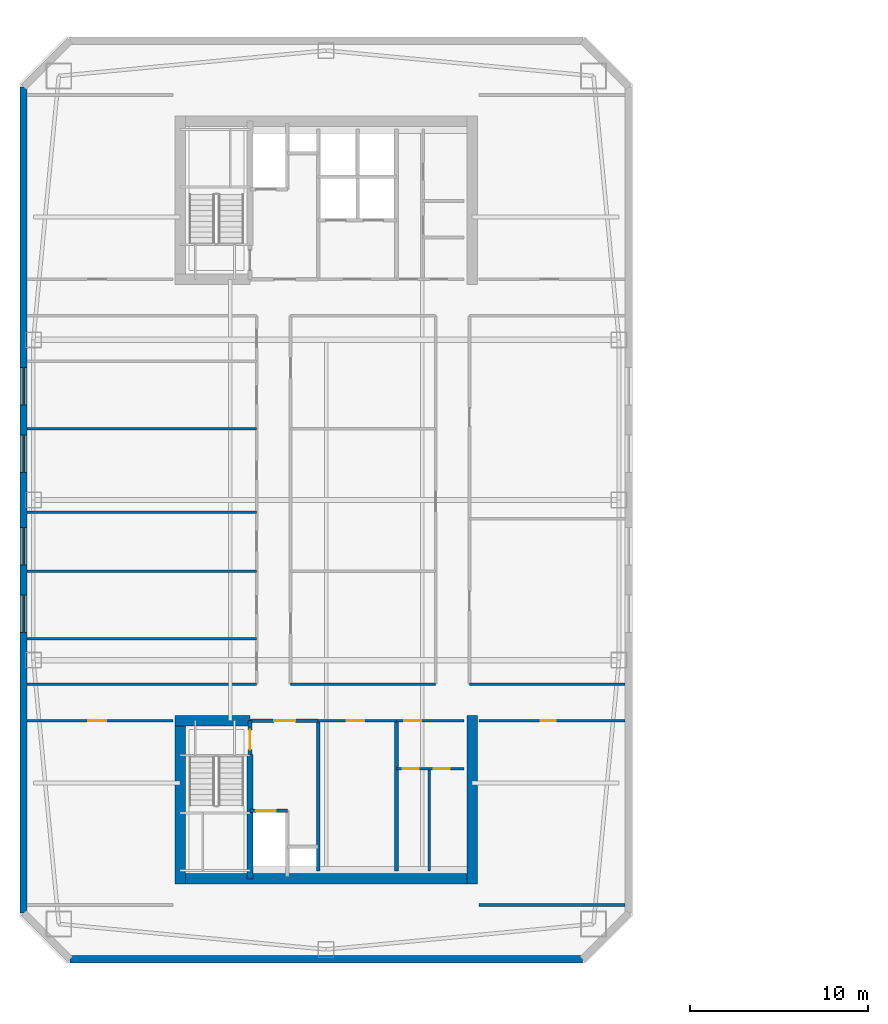
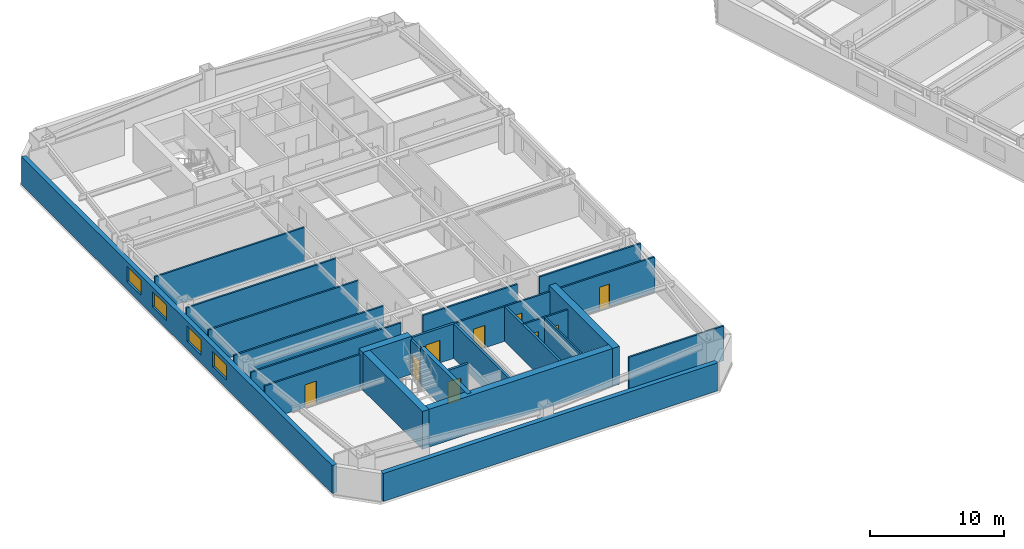
# One storey, part 5 of 13: 26 walls, 9 doors, 4 windows, 13 openings.
"""IFC4 building model written with IfcOpenShell, lengths in metres."""

from ifc_helpers import new_model, si_unit, direction, frame, frame_2d, origin, place, context, subcontext, project, spatial, rectangle, extrude, material, layer, layer_set, type_object, element, fill, save


model = new_model("IFC4")

# Units and contexts
model_context = context("Model", 3, precision=1e-05, world=origin(), true_north=direction((0.0, 1.0)))
body_context = subcontext(model_context, "Body", "Model", "MODEL_VIEW")
ifc_project = project(units=[si_unit("LENGTHUNIT", "METRE"), si_unit("AREAUNIT", "SQUARE_METRE"), si_unit("VOLUMEUNIT", "CUBIC_METRE"), si_unit("PLANEANGLEUNIT", "RADIAN"), si_unit("MASSUNIT", "GRAM", prefix="KILO")], contexts=[model_context])

# Site, building, storey
site_placement = place(None, origin())
site = spatial("IfcSite", under=ifc_project, at=site_placement, CompositionType="ELEMENT")
building_placement = place(site_placement, origin())
building = spatial("IfcBuilding", under=site, at=building_placement, Name="Qiaolan Cultural Towers", CompositionType="ELEMENT")
storey_placement = place(building_placement, frame((0.0, 0.0, 180.550048828125)))
storey = spatial("IfcBuildingStorey", under=building, at=storey_placement, Name="L48", CompositionType="ELEMENT", Elevation=180.550048828125)

# Walls
ifc_material_1 = material(Name="Concrete C50", Category="concrete")
ifc_layer_1 = layer(ifc_material_1, 0.35009765625)
ifc_layer_set_1 = layer_set([ifc_layer_1], Name="Concrete C50")
wall_type_1 = type_object("IfcWallType", Name="WL-CORE-350", PredefinedType="SHEAR", material=ifc_layer_set_1)
wall_1_placement = place(storey_placement, frame((25.719970703125, 19.699951171875, 0.0), z_axis=(0.0, 0.0, 1.0), x_axis=(0.0, -1.0, 0.0)))
element("IfcWall", 1, at=wall_1_placement, inside=storey, type_object=wall_type_1, Name="L48 T1-CS Stair Core Dividing Web", PredefinedType="SHEAR", context=body_context, shape_type="SweptSolid", body=[
    extrude(rectangle(XDim=6.97998046875, YDim=0.35009765625, at=frame_2d((3.489990234375, 0.0))), origin(), (0.0, 0.0, 1.0), 3.449951171875),
])
ifc_material_2 = material(Name="Concrete C55", Category="concrete")
ifc_layer_2 = layer(ifc_material_2, 0.60009765625)
ifc_layer_set_2 = layer_set([ifc_layer_2], Name="Concrete C55")
wall_type_2 = type_object("IfcWallType", Name="WL-CORE-600", PredefinedType="SHEAR", material=ifc_layer_set_2)
wall_2_placement = place(storey_placement, frame((21.5, 12.719970703125, 0.0), z_axis=(0.0, 0.0, 1.0), x_axis=(1.0, 0.0, 0.0)))
element("IfcWall", 2, at=wall_2_placement, inside=storey, type_object=wall_type_2, Name="L48 T1-CS Outer Core Shear Wall", PredefinedType="SHEAR", context=body_context, shape_type="SweptSolid", body=[
    extrude(rectangle(XDim=17.0, YDim=0.60009765625, at=frame_2d((8.5, 0.0))), origin(), (0.0, 0.0, 1.0), 3.449951171875),
])
for number, where, z_axis, x_axis, name in (
    (3, (21.800048828125, 21.89990234375, 0.0), (0.0, 0.0, 1.0), (0.0, -1.0, 0.0), "L48 T1-CS West Core Shear Wall"),
    (4, (38.199951171875, 21.89990234375, 0.0), (0.0, 0.0, 1.0), (0.0, -1.0, 0.0), "L48 T1-CS East Core Shear Wall"),
):
    element("IfcWall", number, at=place(storey_placement, frame(where, z_axis=z_axis, x_axis=x_axis)), inside=storey, type_object=wall_type_2, Name=name, PredefinedType="SHEAR", context=body_context, shape_type="SweptSolid", body=[
        extrude(rectangle(XDim=9.47998046875, YDim=0.60009765625, at=frame_2d((4.739990234375, 0.0))), origin(), (0.0, 0.0, 1.0), 3.449951171875),
    ])
wall_3_placement = place(storey_placement, frame((21.5, 21.60009765625, 0.0), z_axis=(0.0, 0.0, 1.0), x_axis=(1.0, 0.0, 0.0)))
element("IfcWall", 5, at=wall_3_placement, inside=storey, type_object=wall_type_2, Name="L48 T1-CS Stair Front Shear Wall", PredefinedType="SHEAR", context=body_context, shape_type="SweptSolid", body=[
    extrude(rectangle(XDim=4.219970703125, YDim=0.60009765625, at=frame_2d((2.10986328125, 0.0))), origin(), (0.0, 0.0, 1.0), 3.449951171875),
])

# Wall, openings, windows
ifc_material_3 = material(Name="Precast Concrete C50 Honed Stone Pier", Category="masonry")
ifc_layer_3 = layer(ifc_material_3, 0.39990234375)
ifc_layer_set_3 = layer_set([ifc_layer_3], Name="Precast Concrete C50 Honed Stone Pier")
wall_type_3 = type_object("IfcWallType", Name="WL-EXT-PIER-400", PredefinedType="SOLIDWALL", material=ifc_layer_set_3)
wall_4_placement = place(storey_placement, frame((13.0, 10.800048828125, 0.0), z_axis=(0.0, 0.0, 1.0), x_axis=(0.0, 1.0, 0.0)))
wall_4 = element("IfcWall", 6, at=wall_4_placement, inside=storey, type_object=wall_type_3, Name="L48 West Tower Precast Pier Facade Wall F1", PredefinedType="SOLIDWALL", context=body_context, shape_type="SweptSolid", body=[
    extrude(rectangle(XDim=46.39990234375, YDim=0.39990234375, at=frame_2d((23.199951171875, 0.0))), origin(), (0.0, 0.0, 1.0), 2.550048828125),
])
opening_1_placement = place(wall_4_placement, frame((15.75, 0.0, 0.75)))
opening_1 = element("IfcOpeningElement", 7, at=opening_1_placement, cuts=wall_4, Name="Opening W-05", PredefinedType="OPENING", context=body_context, shape_type="SweptSolid", body=[
    extrude(rectangle(XDim=2.10009765625, YDim=1.39990234375, at=frame_2d((1.050048828125, 0.699951171875))), frame((0.0, 0.2099609375, 0.0), z_axis=(0.0, -1.0, 0.0), x_axis=(1.0, 0.0, 0.0)), (0.0, 0.0, 1.0), 0.419921875),
])
opening_2_placement = place(wall_4_placement, frame((19.550048828125, 0.0, 0.75)))
opening_2 = element("IfcOpeningElement", 8, at=opening_2_placement, cuts=wall_4, Name="Opening W-05", PredefinedType="OPENING", context=body_context, shape_type="SweptSolid", body=[
    extrude(rectangle(XDim=2.10009765625, YDim=1.39990234375, at=frame_2d((1.050048828125, 0.699951171875))), frame((0.0, 0.2099609375, 0.0), z_axis=(0.0, -1.0, 0.0), x_axis=(1.0, 0.0, 0.0)), (0.0, 0.0, 1.0), 0.419921875),
])
opening_3_placement = place(wall_4_placement, frame((24.75, 0.0, 0.75)))
opening_3 = element("IfcOpeningElement", 9, at=opening_3_placement, cuts=wall_4, Name="Opening W-05", PredefinedType="OPENING", context=body_context, shape_type="SweptSolid", body=[
    extrude(rectangle(XDim=2.10009765625, YDim=1.39990234375, at=frame_2d((1.050048828125, 0.699951171875))), frame((0.0, 0.2099609375, 0.0), z_axis=(0.0, -1.0, 0.0), x_axis=(1.0, 0.0, 0.0)), (0.0, 0.0, 1.0), 0.419921875),
])
opening_4_placement = place(wall_4_placement, frame((28.550048828125, 0.0, 0.75)))
opening_4 = element("IfcOpeningElement", 10, at=opening_4_placement, cuts=wall_4, Name="Opening W-05", PredefinedType="OPENING", context=body_context, shape_type="SweptSolid", body=[
    extrude(rectangle(XDim=2.10009765625, YDim=1.39990234375, at=frame_2d((1.050048828125, 0.699951171875))), frame((0.0, 0.2099609375, 0.0), z_axis=(0.0, -1.0, 0.0), x_axis=(1.0, 0.0, 0.0)), (0.0, 0.0, 1.0), 0.419921875),
])
ifc_material_4 = material(Name="Thermally Broken Aluminium Triple Low-E Glazing", Category="aluminium")
window_type = type_object("IfcWindowType", Name="WN-CHIC-2100", PartitioningType="SINGLE_PANEL", PredefinedType="WINDOW", material=ifc_material_4)
window_1_placement = place(opening_1_placement, origin())
window_1 = element("IfcWindow", 11, at=window_1_placement, inside=storey, type_object=window_type, Name="L48 T1 W Chicago Bay Window 1", OverallHeight=1.39990234375, OverallWidth=2.10009765625, PartitioningType="TRIPLE_PANEL_VERTICAL", PredefinedType="WINDOW", context=body_context, shape_type="SweptSolid", body=[
    extrude(rectangle(XDim=2.10009765625, YDim=1.39990234375, at=frame_2d((1.050048828125, 0.699951171875))), frame((0.0, 0.030029296875, 0.0), z_axis=(0.0, -1.0, 0.0), x_axis=(1.0, 0.0, 0.0)), (0.0, 0.0, 1.0), 0.06005859375),
])
fill(opening_1, window_1)
window_2_placement = place(opening_2_placement, origin())
window_2 = element("IfcWindow", 12, at=window_2_placement, inside=storey, type_object=window_type, Name="L48 T1 W Chicago Bay Window 2", OverallHeight=1.39990234375, OverallWidth=2.10009765625, PartitioningType="TRIPLE_PANEL_VERTICAL", PredefinedType="WINDOW", context=body_context, shape_type="SweptSolid", body=[
    extrude(rectangle(XDim=2.10009765625, YDim=1.39990234375, at=frame_2d((1.050048828125, 0.699951171875))), frame((0.0, 0.030029296875, 0.0), z_axis=(0.0, -1.0, 0.0), x_axis=(1.0, 0.0, 0.0)), (0.0, 0.0, 1.0), 0.06005859375),
])
fill(opening_2, window_2)
window_3_placement = place(opening_3_placement, origin())
window_3 = element("IfcWindow", 13, at=window_3_placement, inside=storey, type_object=window_type, Name="L48 T1 W Chicago Bay Window 3", OverallHeight=1.39990234375, OverallWidth=2.10009765625, PartitioningType="TRIPLE_PANEL_VERTICAL", PredefinedType="WINDOW", context=body_context, shape_type="SweptSolid", body=[
    extrude(rectangle(XDim=2.10009765625, YDim=1.39990234375, at=frame_2d((1.050048828125, 0.699951171875))), frame((0.0, 0.030029296875, 0.0), z_axis=(0.0, -1.0, 0.0), x_axis=(1.0, 0.0, 0.0)), (0.0, 0.0, 1.0), 0.06005859375),
])
fill(opening_3, window_3)
window_4_placement = place(opening_4_placement, origin())
window_4 = element("IfcWindow", 14, at=window_4_placement, inside=storey, type_object=window_type, Name="L48 T1 W Chicago Bay Window 4", OverallHeight=1.39990234375, OverallWidth=2.10009765625, PartitioningType="TRIPLE_PANEL_VERTICAL", PredefinedType="WINDOW", context=body_context, shape_type="SweptSolid", body=[
    extrude(rectangle(XDim=2.10009765625, YDim=1.39990234375, at=frame_2d((1.050048828125, 0.699951171875))), frame((0.0, 0.030029296875, 0.0), z_axis=(0.0, -1.0, 0.0), x_axis=(1.0, 0.0, 0.0)), (0.0, 0.0, 1.0), 0.06005859375),
])
fill(opening_4, window_4)

# Wall
wall_5_placement = place(storey_placement, frame((44.39990234375, 8.199951171875, 0.0), z_axis=(0.0, 0.0, 1.0), x_axis=(-1.0, 0.0, 0.0)))
element("IfcWall", 15, at=wall_5_placement, inside=storey, type_object=wall_type_3, Name="L48 West Tower Precast Pier Facade Wall F7", PredefinedType="SOLIDWALL", context=body_context, shape_type="SweptSolid", body=[
    extrude(rectangle(XDim=28.7998046875, YDim=0.39990234375, at=frame_2d((14.39990234375, 0.0))), origin(), (0.0, 0.0, 1.0), 2.550048828125),
])

# Wall, opening, door
ifc_material_5 = material(Name="Concrete C35 Fire Wall", Category="concrete")
ifc_layer_4 = layer(ifc_material_5, 0.199951171875)
ifc_layer_set_4 = layer_set([ifc_layer_4], Name="Concrete C35 Fire Wall")
wall_type_4 = type_object("IfcWallType", Name="WL-FIRE-200", PredefinedType="PARTITIONING", material=ifc_layer_set_4)
wall_6_placement = place(storey_placement, frame((25.719970703125, 21.60009765625, 0.0), z_axis=(0.0, 0.0, 1.0), x_axis=(0.0, -1.0, 0.0)))
wall_6 = element("IfcWall", 16, at=wall_6_placement, inside=storey, type_object=wall_type_4, Name="L48 T1-CS Smokeproof Stair Entry Wall", PredefinedType="PARTITIONING", context=body_context, shape_type="SweptSolid", body=[
    extrude(rectangle(XDim=1.900146484375, YDim=0.199951171875, at=frame_2d((0.9501953125, 0.0))), origin(), (0.0, 0.0, 1.0), 3.155029296875),
])
opening_5_placement = place(wall_6_placement, frame((0.52001953125, 0.0, 0.0)))
opening_5 = element("IfcOpeningElement", 17, at=opening_5_placement, cuts=wall_6, Name="Opening FD-04", PredefinedType="OPENING", context=body_context, shape_type="SweptSolid", body=[
    extrude(rectangle(XDim=1.10009765625, YDim=2.050048828125, at=frame_2d((0.550048828125, 1.02490234375))), frame((0.0, 0.10986328125, 0.0), z_axis=(0.0, -1.0, 0.0), x_axis=(1.0, 0.0, 0.0)), (0.0, 0.0, 1.0), 0.219970703125),
])
ifc_material_6 = material(Name="Galvanized Steel Command Fire Door", Category="steel")
door_type_1 = type_object("IfcDoorType", Name="DR-FD90-1100", OperationType="NOTDEFINED", PredefinedType="DOOR", material=ifc_material_6)
door_1_placement = place(opening_5_placement, origin())
door_1 = element("IfcDoor", 18, at=door_1_placement, inside=storey, type_object=door_type_1, Name="L48 ST-W1 Smokeproof Stair Fire Door", OperationType="SINGLE_SWING_LEFT", OverallHeight=2.050048828125, OverallWidth=1.10009765625, PredefinedType="DOOR", context=body_context, shape_type="SweptSolid", body=[
    extrude(rectangle(XDim=1.10009765625, YDim=2.050048828125, at=frame_2d((0.550048828125, 1.02490234375))), frame((0.0, 0.02490234375, 0.0), z_axis=(0.0, -1.0, 0.0), x_axis=(1.0, 0.0, 0.0)), (0.0, 0.0, 1.0), 0.050048828125),
])
fill(opening_5, door_1)

# Wall
wall_7_placement = place(storey_placement, frame((29.550048828125, 21.60009765625, 0.0), z_axis=(0.0, 0.0, 1.0), x_axis=(0.0, -1.0, 0.0)))
element("IfcWall", 19, at=wall_7_placement, inside=storey, type_object=wall_type_4, Name="L48 T1-CS Firefighting Zone Wall", PredefinedType="PARTITIONING", context=body_context, shape_type="SweptSolid", body=[
    extrude(rectangle(XDim=8.43017578125, YDim=0.199951171875, at=frame_2d((4.215087890625, 0.0))), origin(), (0.0, 0.0, 1.0), 3.155029296875),
])

# Wall, opening, door
wall_8_placement = place(storey_placement, frame((25.719970703125, 21.60009765625, 0.0), z_axis=(0.0, 0.0, 1.0), x_axis=(1.0, 0.0, 0.0)))
wall_8 = element("IfcWall", 20, at=wall_8_placement, inside=storey, type_object=wall_type_4, Name="L48 T1-CS Firefighting Lobby Front Wall", PredefinedType="PARTITIONING", context=body_context, shape_type="SweptSolid", body=[
    extrude(rectangle(XDim=3.830078125, YDim=0.199951171875, at=frame_2d((1.9150390625, 0.0))), origin(), (0.0, 0.0, 1.0), 3.155029296875),
])
opening_6_placement = place(wall_8_placement, frame((1.35009765625, 0.0, 0.0)))
opening_6 = element("IfcOpeningElement", 21, at=opening_6_placement, cuts=wall_8, Name="Opening FD-03", PredefinedType="OPENING", context=body_context, shape_type="SweptSolid", body=[
    extrude(rectangle(XDim=1.199951171875, YDim=2.050048828125, at=frame_2d((0.60009765625, 1.02490234375))), frame((0.0, 0.10986328125, 0.0), z_axis=(0.0, -1.0, 0.0), x_axis=(1.0, 0.0, 0.0)), (0.0, 0.0, 1.0), 0.219970703125),
])
ifc_material_7 = material(Name="Galvanized Steel Smokeproof Lobby Fire Door", Category="steel")
door_type_2 = type_object("IfcDoorType", Name="DR-FD90-1200", OperationType="NOTDEFINED", PredefinedType="DOOR", material=ifc_material_7)
door_2_placement = place(opening_6_placement, origin())
door_2 = element("IfcDoor", 22, at=door_2_placement, inside=storey, type_object=door_type_2, Name="L48 FFL-W1 Firefighting Lobby Fire Door", OperationType="SINGLE_SWING_LEFT", OverallHeight=2.050048828125, OverallWidth=1.199951171875, PredefinedType="DOOR", context=body_context, shape_type="SweptSolid", body=[
    extrude(rectangle(XDim=1.199951171875, YDim=2.050048828125, at=frame_2d((0.60009765625, 1.02490234375))), frame((0.0, 0.02490234375, 0.0), z_axis=(0.0, -1.0, 0.0), x_axis=(1.0, 0.0, 0.0)), (0.0, 0.0, 1.0), 0.050048828125),
])
fill(opening_6, door_2)

wall_9_placement = place(storey_placement, frame((25.719970703125, 16.550048828125, 0.0), z_axis=(0.0, 0.0, 1.0), x_axis=(1.0, 0.0, 0.0)))
wall_9 = element("IfcWall", 23, at=wall_9_placement, inside=storey, type_object=wall_type_4, Name="L48 T1-CS Firefighting Shaft Front Wall", PredefinedType="PARTITIONING", context=body_context, shape_type="SweptSolid", body=[
    extrude(rectangle(XDim=2.10009765625, YDim=0.199951171875, at=frame_2d((1.050048828125, 0.0))), origin(), (0.0, 0.0, 1.0), 3.155029296875),
])
opening_7_placement = place(wall_9_placement, frame((0.35009765625, 0.0, 0.0)))
opening_7 = element("IfcOpeningElement", 24, at=opening_7_placement, cuts=wall_9, Name="Opening LD-01", PredefinedType="OPENING", context=body_context, shape_type="SweptSolid", body=[
    extrude(rectangle(XDim=1.10009765625, YDim=2.050048828125, at=frame_2d((0.550048828125, 1.02490234375))), frame((0.0, 0.10986328125, 0.0), z_axis=(0.0, -1.0, 0.0), x_axis=(1.0, 0.0, 0.0)), (0.0, 0.0, 1.0), 0.219970703125),
])
ifc_material_8 = material(Name="Brushed Stainless Steel S30408 Centre-Parting Lift Landing Door", Category="steel")
door_type_3 = type_object("IfcDoorType", Name="DR-LIFT-1100", OperationType="NOTDEFINED", PredefinedType="DOOR", material=ifc_material_8)
door_3_placement = place(opening_7_placement, origin())
door_3 = element("IfcDoor", 25, at=door_3_placement, inside=storey, type_object=door_type_3, Name="L48 FFL-W1 Firefighting Lift Landing Door", OperationType="DOUBLE_DOOR_SLIDING", OverallHeight=2.050048828125, OverallWidth=1.10009765625, PredefinedType="DOOR", context=body_context, shape_type="SweptSolid", body=[
    extrude(rectangle(XDim=1.10009765625, YDim=2.050048828125, at=frame_2d((0.550048828125, 1.02490234375))), frame((0.0, 0.02490234375, 0.0), z_axis=(0.0, -1.0, 0.0), x_axis=(1.0, 0.0, 0.0)), (0.0, 0.0, 1.0), 0.050048828125),
])
fill(opening_7, door_3)

# Wall
wall_10_placement = place(storey_placement, frame((33.949951171875, 21.60009765625, 0.0), z_axis=(0.0, 0.0, 1.0), x_axis=(0.0, -1.0, 0.0)))
element("IfcWall", 26, at=wall_10_placement, inside=storey, type_object=wall_type_4, Name="L48 T1-CS Lift Core East Wall", PredefinedType="PARTITIONING", context=body_context, shape_type="SweptSolid", body=[
    extrude(rectangle(XDim=8.43017578125, YDim=0.199951171875, at=frame_2d((4.215087890625, 0.0))), origin(), (0.0, 0.0, 1.0), 3.155029296875),
])

# Wall, opening, door
ifc_material_9 = material(Name="Autoclaved Aerated Concrete Block B06", Category="concrete")
ifc_layer_5 = layer(ifc_material_9, 0.14990234375)
ifc_layer_set_5 = layer_set([ifc_layer_5], Name="Autoclaved Aerated Concrete Block B06")
wall_type_5 = type_object("IfcWallType", Name="WL-PART-150", PredefinedType="PARTITIONING", material=ifc_layer_set_5)
wall_11_placement = place(storey_placement, frame((29.550048828125, 21.60009765625, 0.0), z_axis=(0.0, 0.0, 1.0), x_axis=(1.0, 0.0, 0.0)))
wall_11 = element("IfcWall", 27, at=wall_11_placement, inside=storey, type_object=wall_type_5, Name="L48 T1-CS Reclaimed Core Room Front Wall", PredefinedType="PARTITIONING", context=body_context, shape_type="SweptSolid", body=[
    extrude(rectangle(XDim=4.39990234375, YDim=0.14990234375, at=frame_2d((2.199951171875, 0.0))), origin(), (0.0, 0.0, 1.0), 3.155029296875),
])
opening_8_placement = place(wall_11_placement, frame((1.60009765625, 0.0, 0.0)))
opening_8 = element("IfcOpeningElement", 28, at=opening_8_placement, cuts=wall_11, Name="Opening ID-04", PredefinedType="OPENING", context=body_context, shape_type="SweptSolid", body=[
    extrude(rectangle(XDim=1.0, YDim=2.050048828125, at=frame_2d((0.5, 1.02490234375))), frame((0.0, 0.0849609375, 0.0), z_axis=(0.0, -1.0, 0.0), x_axis=(1.0, 0.0, 0.0)), (0.0, 0.0, 1.0), 0.169921875),
])
ifc_material_10 = material(Name="Oak Veneer Acoustic Office Door", Category="timber")
door_type_4 = type_object("IfcDoorType", Name="DR-INT-1000", OperationType="NOTDEFINED", PredefinedType="DOOR", material=ifc_material_10)
door_4_placement = place(opening_8_placement, origin())
door_4 = element("IfcDoor", 29, at=door_4_placement, inside=storey, type_object=door_type_4, Name="L48 Reclaimed Archive Room Door", OperationType="SINGLE_SWING_LEFT", OverallHeight=2.050048828125, OverallWidth=1.0, PredefinedType="DOOR", context=body_context, shape_type="SweptSolid", body=[
    extrude(rectangle(XDim=1.0, YDim=2.050048828125, at=frame_2d((0.5, 1.02490234375))), frame((0.0, 0.02490234375, 0.0), z_axis=(0.0, -1.0, 0.0), x_axis=(1.0, 0.0, 0.0)), (0.0, 0.0, 1.0), 0.050048828125),
])
fill(opening_8, door_4)

wall_12_placement = place(storey_placement, frame((33.949951171875, 21.60009765625, 0.0), z_axis=(0.0, 0.0, 1.0), x_axis=(1.0, 0.0, 0.0)))
wall_12 = element("IfcWall", 30, at=wall_12_placement, inside=storey, type_object=wall_type_5, Name="L48 T1-CS Sanitary Core Front Wall", PredefinedType="PARTITIONING", context=body_context, shape_type="SweptSolid", body=[
    extrude(rectangle(XDim=3.800048828125, YDim=0.14990234375, at=frame_2d((1.89990234375, 0.0))), origin(), (0.0, 0.0, 1.0), 3.155029296875),
])
opening_9_placement = place(wall_12_placement, frame((0.449951171875, 0.0, 0.0)))
opening_9 = element("IfcOpeningElement", 31, at=opening_9_placement, cuts=wall_12, Name="Opening ID-05", PredefinedType="OPENING", context=body_context, shape_type="SweptSolid", body=[
    extrude(rectangle(XDim=0.949951171875, YDim=2.050048828125, at=frame_2d((0.47509765625, 1.02490234375))), frame((0.0, 0.0849609375, 0.0), z_axis=(0.0, -1.0, 0.0), x_axis=(1.0, 0.0, 0.0)), (0.0, 0.0, 1.0), 0.169921875),
])
ifc_material_11 = material(Name="Fire-Rated Laminate Accessible Core Door", Category="timber")
door_type_5 = type_object("IfcDoorType", Name="DR-INT-950", OperationType="NOTDEFINED", PredefinedType="DOOR", material=ifc_material_11)
door_5_placement = place(opening_9_placement, origin())
door_5 = element("IfcDoor", 32, at=door_5_placement, inside=storey, type_object=door_type_5, Name="L48 Sanitary Vestibule Door", OperationType="SINGLE_SWING_LEFT", OverallHeight=2.050048828125, OverallWidth=0.949951171875, PredefinedType="DOOR", context=body_context, shape_type="SweptSolid", body=[
    extrude(rectangle(XDim=0.949951171875, YDim=2.050048828125, at=frame_2d((0.47509765625, 1.02490234375))), frame((0.0, 0.02490234375, 0.0), z_axis=(0.0, -1.0, 0.0), x_axis=(1.0, 0.0, 0.0)), (0.0, 0.0, 1.0), 0.050048828125),
])
fill(opening_9, door_5)

# Wall, openings, doors
wall_13_placement = place(storey_placement, frame((33.949951171875, 18.89990234375, 0.0), z_axis=(0.0, 0.0, 1.0), x_axis=(1.0, 0.0, 0.0)))
wall_13 = element("IfcWall", 33, at=wall_13_placement, inside=storey, type_object=wall_type_5, Name="L48 T1-CS Restroom Vestibule Wall", PredefinedType="PARTITIONING", context=body_context, shape_type="SweptSolid", body=[
    extrude(rectangle(XDim=3.800048828125, YDim=0.14990234375, at=frame_2d((1.89990234375, 0.0))), origin(), (0.0, 0.0, 1.0), 3.155029296875),
])
opening_10_placement = place(wall_13_placement, frame((0.35009765625, 0.0, 0.0)))
opening_10 = element("IfcOpeningElement", 34, at=opening_10_placement, cuts=wall_13, Name="Opening ID-06", PredefinedType="OPENING", context=body_context, shape_type="SweptSolid", body=[
    extrude(rectangle(XDim=0.89990234375, YDim=2.050048828125, at=frame_2d((0.449951171875, 1.02490234375))), frame((0.0, 0.0849609375, 0.0), z_axis=(0.0, -1.0, 0.0), x_axis=(1.0, 0.0, 0.0)), (0.0, 0.0, 1.0), 0.169921875),
])
opening_11_placement = place(wall_13_placement, frame((2.10009765625, 0.0, 0.0)))
opening_11 = element("IfcOpeningElement", 35, at=opening_11_placement, cuts=wall_13, Name="Opening ID-06", PredefinedType="OPENING", context=body_context, shape_type="SweptSolid", body=[
    extrude(rectangle(XDim=0.89990234375, YDim=2.050048828125, at=frame_2d((0.449951171875, 1.02490234375))), frame((0.0, 0.0849609375, 0.0), z_axis=(0.0, -1.0, 0.0), x_axis=(1.0, 0.0, 0.0)), (0.0, 0.0, 1.0), 0.169921875),
])
ifc_material_12 = material(Name="Fire-Rated Laminate Core Service Door", Category="timber")
door_type_6 = type_object("IfcDoorType", Name="DR-INT-900", OperationType="NOTDEFINED", PredefinedType="DOOR", material=ifc_material_12)
door_6_placement = place(opening_10_placement, origin())
door_6 = element("IfcDoor", 36, at=door_6_placement, inside=storey, type_object=door_type_6, Name="L48 Men Restroom Door", OperationType="SINGLE_SWING_LEFT", OverallHeight=2.050048828125, OverallWidth=0.89990234375, PredefinedType="DOOR", context=body_context, shape_type="SweptSolid", body=[
    extrude(rectangle(XDim=0.89990234375, YDim=2.050048828125, at=frame_2d((0.449951171875, 1.02490234375))), frame((0.0, 0.02490234375, 0.0), z_axis=(0.0, -1.0, 0.0), x_axis=(1.0, 0.0, 0.0)), (0.0, 0.0, 1.0), 0.050048828125),
])
fill(opening_10, door_6)
door_7_placement = place(opening_11_placement, origin())
door_7 = element("IfcDoor", 37, at=door_7_placement, inside=storey, type_object=door_type_6, Name="L48 Accessible & Women Restroom Door", OperationType="SINGLE_SWING_RIGHT", OverallHeight=2.050048828125, OverallWidth=0.89990234375, PredefinedType="DOOR", context=body_context, shape_type="SweptSolid", body=[
    extrude(rectangle(XDim=0.89990234375, YDim=2.050048828125, at=frame_2d((0.449951171875, 1.02490234375))), frame((0.0, 0.02490234375, 0.0), z_axis=(0.0, -1.0, 0.0), x_axis=(1.0, 0.0, 0.0)), (0.0, 0.0, 1.0), 0.050048828125),
])
fill(opening_11, door_7)

# Wall
wall_14_placement = place(storey_placement, frame((35.800048828125, 18.89990234375, 0.0), z_axis=(0.0, 0.0, 1.0), x_axis=(0.0, -1.0, 0.0)))
element("IfcWall", 38, at=wall_14_placement, inside=storey, type_object=wall_type_5, Name="L48 T1-CS Restroom Divider Wall", PredefinedType="PARTITIONING", context=body_context, shape_type="SweptSolid", body=[
    extrude(rectangle(XDim=5.72998046875, YDim=0.14990234375, at=frame_2d((2.864990234375, 0.0))), origin(), (0.0, 0.0, 1.0), 3.155029296875),
])

# Wall, opening, door
wall_15_placement = place(storey_placement, frame((13.199951171875, 21.60009765625, 0.0), z_axis=(0.0, 0.0, 1.0), x_axis=(1.0, 0.0, 0.0)))
wall_15 = element("IfcWall", 39, at=wall_15_placement, inside=storey, type_object=wall_type_5, Name="L48 T1 Flank Front FLK-SW", PredefinedType="PARTITIONING", context=body_context, shape_type="SweptSolid", body=[
    extrude(rectangle(XDim=8.199951171875, YDim=0.14990234375, at=frame_2d((4.10009765625, 0.0))), origin(), (0.0, 0.0, 1.0), 3.155029296875),
])
opening_12_placement = place(wall_15_placement, frame((3.444091796875, 0.0, 0.0)))
opening_12 = element("IfcOpeningElement", 40, at=opening_12_placement, cuts=wall_15, Name="Opening ID-04", PredefinedType="OPENING", context=body_context, shape_type="SweptSolid", body=[
    extrude(rectangle(XDim=1.0, YDim=2.050048828125, at=frame_2d((0.5, 1.02490234375))), frame((0.0, 0.0849609375, 0.0), z_axis=(0.0, -1.0, 0.0), x_axis=(1.0, 0.0, 0.0)), (0.0, 0.0, 1.0), 0.169921875),
])
door_8_placement = place(opening_12_placement, origin())
door_8 = element("IfcDoor", 41, at=door_8_placement, inside=storey, type_object=door_type_4, Name="L48 T1 Corner Studio Door", OperationType="SINGLE_SWING_LEFT", OverallHeight=2.050048828125, OverallWidth=1.0, PredefinedType="DOOR", context=body_context, shape_type="SweptSolid", body=[
    extrude(rectangle(XDim=1.0, YDim=2.050048828125, at=frame_2d((0.5, 1.02490234375))), frame((0.0, 0.02490234375, 0.0), z_axis=(0.0, -1.0, 0.0), x_axis=(1.0, 0.0, 0.0)), (0.0, 0.0, 1.0), 0.050048828125),
])
fill(opening_12, door_8)

# Wall
wall_16_placement = place(storey_placement, frame((38.60009765625, 11.25, 0.0), z_axis=(0.0, 0.0, 1.0), x_axis=(1.0, 0.0, 0.0)))
element("IfcWall", 42, at=wall_16_placement, inside=storey, type_object=wall_type_5, Name="L48 T1 Flank Wall FLK-SE", PredefinedType="PARTITIONING", context=body_context, shape_type="SweptSolid", body=[
    extrude(rectangle(XDim=8.199951171875, YDim=0.14990234375, at=frame_2d((4.10009765625, 0.0))), origin(), (0.0, 0.0, 1.0), 3.155029296875),
])

# Wall, opening, door
wall_17_placement = place(storey_placement, frame((38.60009765625, 21.60009765625, 0.0), z_axis=(0.0, 0.0, 1.0), x_axis=(1.0, 0.0, 0.0)))
wall_17 = element("IfcWall", 43, at=wall_17_placement, inside=storey, type_object=wall_type_5, Name="L48 T1 Flank Front FLK-SE", PredefinedType="PARTITIONING", context=body_context, shape_type="SweptSolid", body=[
    extrude(rectangle(XDim=8.199951171875, YDim=0.14990234375, at=frame_2d((4.10009765625, 0.0))), origin(), (0.0, 0.0, 1.0), 3.155029296875),
])
opening_13_placement = place(wall_17_placement, frame((3.444091796875, 0.0, 0.0)))
opening_13 = element("IfcOpeningElement", 44, at=opening_13_placement, cuts=wall_17, Name="Opening ID-09", PredefinedType="OPENING", context=body_context, shape_type="SweptSolid", body=[
    extrude(rectangle(XDim=0.85009765625, YDim=2.050048828125, at=frame_2d((0.425048828125, 1.02490234375))), frame((0.0, 0.0849609375, 0.0), z_axis=(0.0, -1.0, 0.0), x_axis=(1.0, 0.0, 0.0)), (0.0, 0.0, 1.0), 0.169921875),
])
ifc_material_13 = material(Name="Moisture-Resistant Laminate Utility Door", Category="timber")
door_type_7 = type_object("IfcDoorType", Name="DR-INT-850", OperationType="NOTDEFINED", PredefinedType="DOOR", material=ifc_material_13)
door_9_placement = place(opening_13_placement, origin())
door_9 = element("IfcDoor", 45, at=door_9_placement, inside=storey, type_object=door_type_7, Name="L48 T1 Corner Studio Door", OperationType="SINGLE_SWING_LEFT", OverallHeight=2.050048828125, OverallWidth=0.85009765625, PredefinedType="DOOR", context=body_context, shape_type="SweptSolid", body=[
    extrude(rectangle(XDim=0.85009765625, YDim=2.050048828125, at=frame_2d((0.425048828125, 1.02490234375))), frame((0.0, 0.02490234375, 0.0), z_axis=(0.0, -1.0, 0.0), x_axis=(1.0, 0.0, 0.0)), (0.0, 0.0, 1.0), 0.050048828125),
])
fill(opening_13, door_9)

# Walls
wall_18_placement = place(storey_placement, frame((13.199951171875, 23.64990234375, 0.0), z_axis=(0.0, 0.0, 1.0), x_axis=(1.0, 0.0, 0.0)))
element("IfcWall", 46, at=wall_18_placement, inside=storey, type_object=wall_type_5, Name="L48 T1 Interior Wall", PredefinedType="PARTITIONING", context=body_context, shape_type="SweptSolid", body=[
    extrude(rectangle(XDim=12.900146484375, YDim=0.14990234375, at=frame_2d((6.4501953125, 0.0))), origin(), (0.0, 0.0, 1.0), 3.155029296875),
])
wall_19_placement = place(storey_placement, frame((28.0, 23.64990234375, 0.0), z_axis=(0.0, 0.0, 1.0), x_axis=(1.0, 0.0, 0.0)))
element("IfcWall", 47, at=wall_19_placement, inside=storey, type_object=wall_type_5, Name="L48 T1 Interior Wall", PredefinedType="PARTITIONING", context=body_context, shape_type="SweptSolid", body=[
    extrude(rectangle(XDim=8.14990234375, YDim=0.14990234375, at=frame_2d((4.074951171875, 0.0))), origin(), (0.0, 0.0, 1.0), 3.155029296875),
])
wall_20_placement = place(storey_placement, frame((38.050048828125, 23.64990234375, 0.0), z_axis=(0.0, 0.0, 1.0), x_axis=(1.0, 0.0, 0.0)))
element("IfcWall", 48, at=wall_20_placement, inside=storey, type_object=wall_type_5, Name="L48 T1 Interior Wall", PredefinedType="PARTITIONING", context=body_context, shape_type="SweptSolid", body=[
    extrude(rectangle(XDim=8.75, YDim=0.14990234375, at=frame_2d((4.375, 0.0))), origin(), (0.0, 0.0, 1.0), 3.155029296875),
])
for number, where, z_axis, x_axis, name in (
    (49, (13.199951171875, 26.199951171875, 0.0), (0.0, 0.0, 1.0), (1.0, 0.0, 0.0), "L48 T1 Interior Wall"),
    (50, (13.199951171875, 30.0, 0.0), (0.0, 0.0, 1.0), (1.0, 0.0, 0.0), "L48 T1 Interior Wall"),
    (51, (13.199951171875, 33.320068359375, 0.0), (0.0, 0.0, 1.0), (1.0, 0.0, 0.0), "L48 T1 Interior Wall"),
    (52, (13.199951171875, 38.0, 0.0), (0.0, 0.0, 1.0), (1.0, 0.0, 0.0), "L48 T1 Interior Wall"),
):
    element("IfcWall", number, at=place(storey_placement, frame(where, z_axis=z_axis, x_axis=x_axis)), inside=storey, type_object=wall_type_5, Name=name, PredefinedType="PARTITIONING", context=body_context, shape_type="SweptSolid", body=[
        extrude(rectangle(XDim=12.900146484375, YDim=0.14990234375, at=frame_2d((6.4501953125, 0.0))), origin(), (0.0, 0.0, 1.0), 3.155029296875),
    ])

save(model, "model.ifc")
